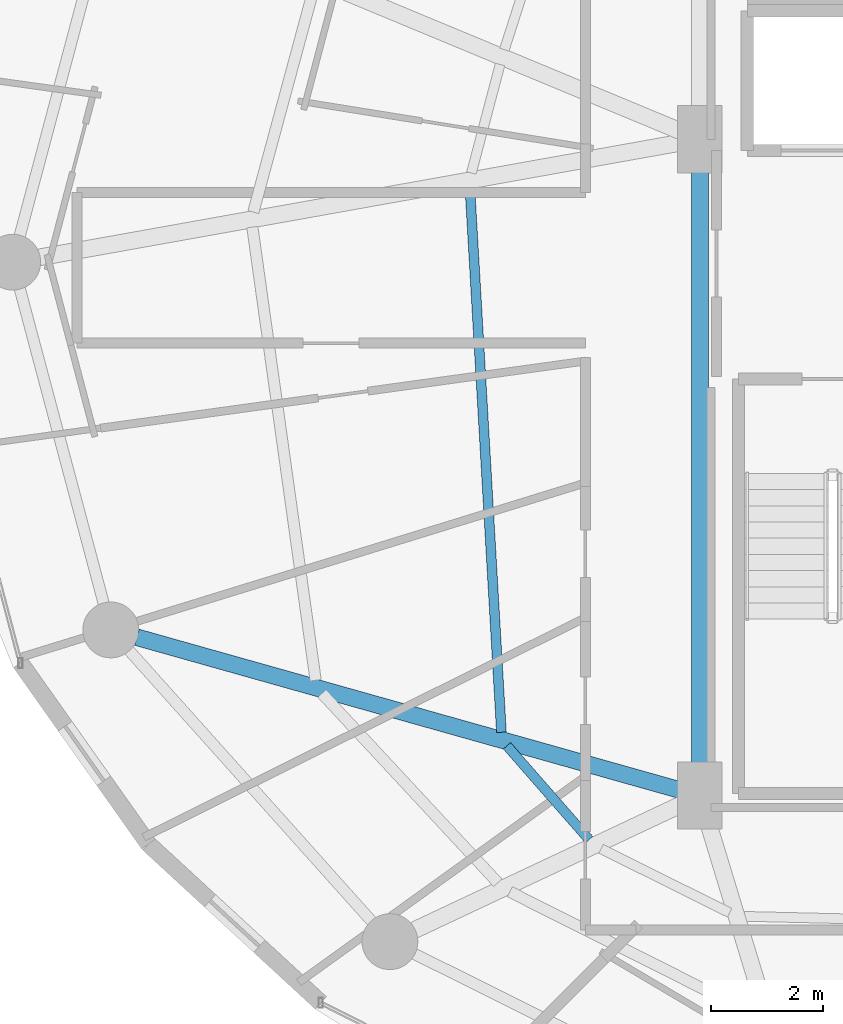
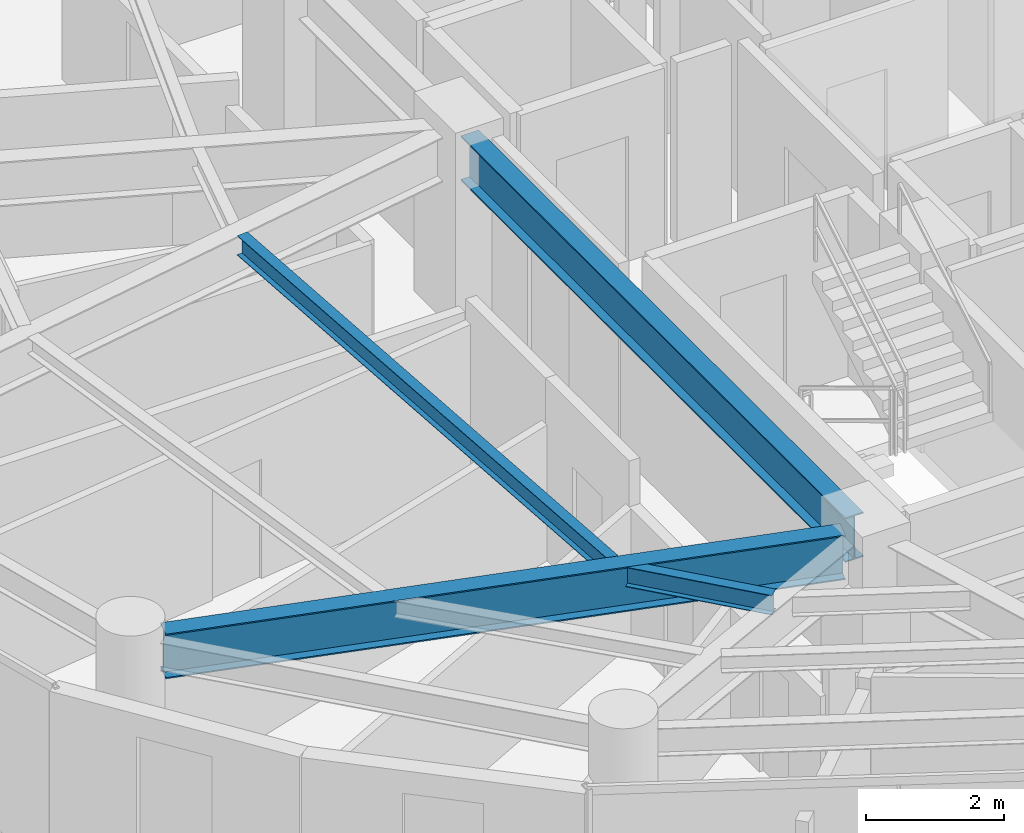
# One storey, part 4 of 29: 4 beams.
"""IFC4 building model written with IfcOpenShell, lengths in metres."""

from ifc_helpers import new_model, si_unit, direction, frame, origin, origin_2d, place, context, subcontext, project, spatial, i_section, extrude, material, material_profile, profile_set, type_object, element, save


model = new_model("IFC4")

# Units and contexts
model_context = context("Model", 3, precision=1e-05, world=origin(), true_north=direction((0.0, 1.0)))
body_context = subcontext(model_context, "Body", "Model", "MODEL_VIEW")
ifc_project = project(units=[si_unit("LENGTHUNIT", "METRE"), si_unit("AREAUNIT", "SQUARE_METRE"), si_unit("VOLUMEUNIT", "CUBIC_METRE"), si_unit("PLANEANGLEUNIT", "RADIAN"), si_unit("MASSUNIT", "GRAM", prefix="KILO")], contexts=[model_context])

# Site, building, storey
site_placement = place(None, origin())
site = spatial("IfcSite", under=ifc_project, at=site_placement, CompositionType="ELEMENT")
building_placement = place(site_placement, origin())
building = spatial("IfcBuilding", under=site, at=building_placement, Name="Vorneva Point Tower", CompositionType="ELEMENT")
storey_placement = place(building_placement, frame((0.0, 0.0, 171.10009765625)))
storey = spatial("IfcBuildingStorey", under=building, at=storey_placement, Name="L46", CompositionType="ELEMENT", Elevation=171.10009765625)

# Beams
ifc_material = material(Name="Steel S355", Category="steel")
ifc_material_profile_1 = material_profile(ifc_material, i_section(OverallWidth=0.300048828125, OverallDepth=0.7880859375, WebThickness=0.014404296875, FlangeThickness=0.02197265625, at=origin_2d()), Name="80Sh1")
ifc_profile_set_1 = profile_set([ifc_material_profile_1], Name="Steel S355")
beam_type_1 = type_object("IfcBeamType", Name="BM-GRD-80Sh1", PredefinedType="USERDEFINED", material=ifc_profile_set_1)
beam_1_placement = place(storey_placement, frame((17.17431640625, 19.28564453125, 2.805908203125), z_axis=(0.96260085362, -0.270923599213, 0.0), x_axis=(0.270923599213, 0.96260085362, 0.0)))
element("IfcBeam", 1, at=beam_1_placement, inside=storey, type_object=beam_type_1, Name="L46 Radial Primary Girder 10", ObjectType="GIRDER", PredefinedType="USERDEFINED", context=body_context, shape_type="SweptSolid", body=[
    extrude(i_section(OverallWidth=0.300048828125, OverallDepth=0.7880859375, WebThickness=0.014404296875, FlangeThickness=0.02197265625, at=origin_2d()), origin(), (0.0, 0.0, 1.0), 10.126953125),
])
beam_2_placement = place(storey_placement, frame((27.25, 16.77001953125, 2.805908203125), z_axis=(0.0, 1.0, 0.0), x_axis=(-1.0, 0.0, 0.0)))
element("IfcBeam", 2, at=beam_2_placement, inside=storey, type_object=beam_type_1, Name="L46 Core Tie Girder CT1", ObjectType="GIRDER", PredefinedType="USERDEFINED", context=body_context, shape_type="SweptSolid", body=[
    extrude(i_section(OverallWidth=0.300048828125, OverallDepth=0.7880859375, WebThickness=0.014404296875, FlangeThickness=0.02197265625, at=origin_2d()), origin(), (0.0, 0.0, 1.0), 11.10986328125),
])
ifc_material_profile_2 = material_profile(ifc_material, i_section(OverallWidth=0.174072265625, OverallDepth=0.345947265625, WebThickness=0.006103515625, FlangeThickness=0.009033203125, at=origin_2d()), Name="35B1")
ifc_profile_set_2 = profile_set([ifc_material_profile_2], Name="Steel S355")
beam_type_2 = type_object("IfcBeamType", Name="BM-SEC-35B1", PredefinedType="BEAM", material=ifc_profile_set_2)
beam_3_placement = place(storey_placement, frame((23.13330078125, 27.324462890625, 3.02685546875), z_axis=(0.057859390455, -0.998324742224, 0.0), x_axis=(0.998324742224, 0.057859390455, 0.0)))
element("IfcBeam", 3, at=beam_3_placement, inside=storey, type_object=beam_type_2, Name="L46 Secondary Floor Beam 2.09", PredefinedType="BEAM", context=body_context, shape_type="SweptSolid", body=[
    extrude(i_section(OverallWidth=0.174072265625, OverallDepth=0.345947265625, WebThickness=0.006103515625, FlangeThickness=0.009033203125, at=origin_2d()), origin(), (0.0, 0.0, 1.0), 9.755615234375),
])
beam_4_placement = place(storey_placement, frame((23.796630859375, 17.343505859375, 3.02685546875), z_axis=(0.658705826659, -0.752400580758, 0.0), x_axis=(0.752400580758, 0.658705826659, 0.0)))
element("IfcBeam", 4, at=beam_4_placement, inside=storey, type_object=beam_type_2, Name="L46 Secondary Floor Beam 2.10", PredefinedType="BEAM", context=body_context, shape_type="SweptSolid", body=[
    extrude(i_section(OverallWidth=0.174072265625, OverallDepth=0.345947265625, WebThickness=0.006103515625, FlangeThickness=0.009033203125, at=origin_2d()), origin(), (0.0, 0.0, 1.0), 2.233154296875),
])

save(model, "model.ifc")
